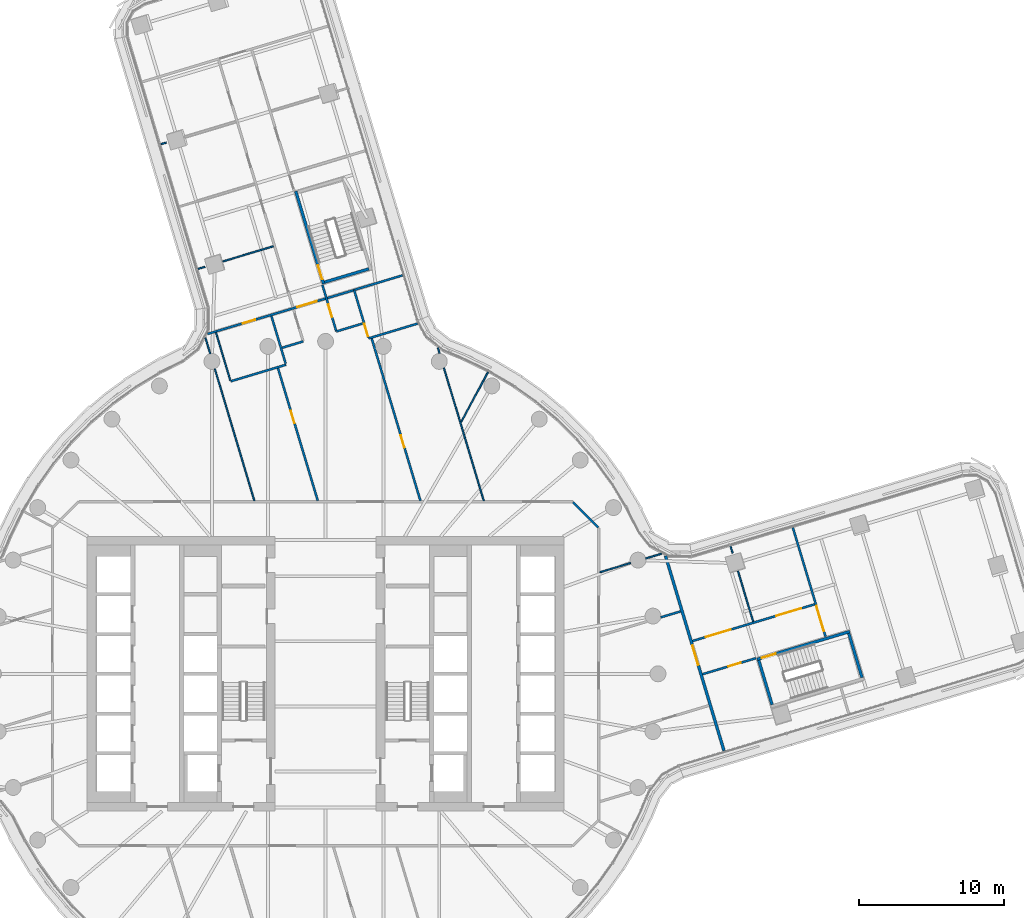
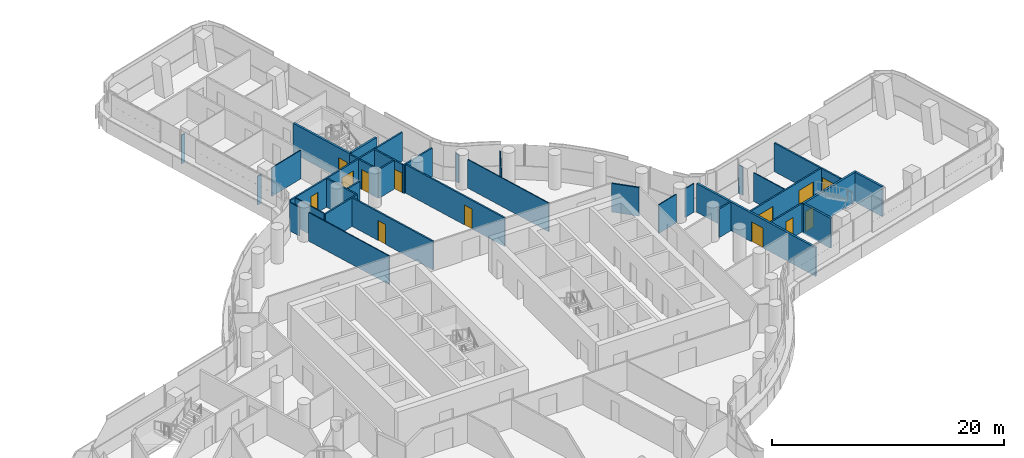
# One storey, part 21 of 32: 35 walls, 13 doors, 13 openings.
"""IFC4 building model written with IfcOpenShell, lengths in metres."""

from ifc_helpers import new_model, si_unit, direction, frame, frame_2d, origin, place, context, subcontext, project, spatial, polyline, rectangle, outline, extrude, material, layer, layer_set, type_object, element, fill, save


model = new_model("IFC4")

# Units and contexts
model_context = context("Model", 3, precision=1e-05, world=origin(), true_north=direction((0.0, 1.0)))
body_context = subcontext(model_context, "Body", "Model", "MODEL_VIEW")
ifc_project = project(units=[si_unit("LENGTHUNIT", "METRE"), si_unit("AREAUNIT", "SQUARE_METRE"), si_unit("VOLUMEUNIT", "CUBIC_METRE"), si_unit("PLANEANGLEUNIT", "RADIAN"), si_unit("MASSUNIT", "GRAM", prefix="KILO")], contexts=[model_context])

# Site, building, storey
site_placement = place(None, origin())
site = spatial("IfcSite", under=ifc_project, at=site_placement, CompositionType="ELEMENT")
building_placement = place(site_placement, origin())
building = spatial("IfcBuilding", under=site, at=building_placement, Name="Tamarind Cross Interchange Tower", CompositionType="ELEMENT")
storey_placement = place(building_placement, frame((0.0, 0.0, 94.75)))
storey = spatial("IfcBuildingStorey", under=building, at=storey_placement, Name="L22", CompositionType="ELEMENT", Elevation=94.75)

# Walls
ifc_material_1 = material(Name="Gypsum board partition on steel studs", Category="steel")
ifc_layer_1 = layer(ifc_material_1, 0.10009765625)
ifc_layer_set_1 = layer_set([ifc_layer_1], Name="Gypsum board partition on steel studs")
wall_type_1 = type_object("IfcWallType", Name="Partition 100 mm EI 90", PredefinedType="PARTITIONING", material=ifc_layer_set_1)
wall_1_placement = place(storey_placement, frame((-8.30859375, 23.242919921875, 0.0), z_axis=(0.0, 0.0, 1.0), x_axis=(0.287640433477, -0.957738472146, 0.0)))
element("IfcWall", 1, at=wall_1_placement, inside=storey, type_object=wall_type_1, Name="Partition L22-009", PredefinedType="PARTITIONING", context=body_context, shape_type="SweptSolid", body=[
    extrude(rectangle(XDim=1.1484375, YDim=0.10009765625, at=frame_2d((0.57421875, 0.0))), origin(), (0.0, 0.0, 1.0), 3.010009765625),
])
wall_2_placement = place(storey_placement, frame((-7.6669921875, 21.1064453125, 0.0), z_axis=(0.0, 0.0, 1.0), x_axis=(0.287634372124, -0.95774029255, 0.0)))
element("IfcWall", 2, at=wall_2_placement, inside=storey, type_object=wall_type_1, Name="Partition L22-010", PredefinedType="PARTITIONING", context=body_context, shape_type="SweptSolid", body=[
    extrude(rectangle(XDim=9.537841796875, YDim=0.10009765625, at=frame_2d((4.76904296875, 0.0))), origin(), (0.0, 0.0, 1.0), 3.010009765625),
])
wall_3_placement = place(storey_placement, frame((-7.58447265625, 23.611083984375, 0.0), z_axis=(0.0, 0.0, 1.0), x_axis=(0.287866572173, -0.957670526134, 0.0)))
element("IfcWall", 3, at=wall_3_placement, inside=storey, type_object=wall_type_1, Name="Partition L22-011", PredefinedType="PARTITIONING", context=body_context, shape_type="SweptSolid", body=[
    extrude(rectangle(XDim=3.454345703125, YDim=0.10009765625, at=frame_2d((1.72705078125, 0.0))), origin(), (0.0, 0.0, 1.0), 3.010009765625),
])
wall_4_placement = place(storey_placement, frame((7.768310546875, 22.5556640625, 0.0), z_axis=(0.0, 0.0, 1.0), x_axis=(0.287679851286, -0.957726632794, 0.0)))
element("IfcWall", 4, at=wall_4_placement, inside=storey, type_object=wall_type_1, Name="Partition L22-027", PredefinedType="PARTITIONING", context=body_context, shape_type="SweptSolid", body=[
    extrude(rectangle(XDim=0.40478515625, YDim=0.10009765625, at=frame_2d((0.202392578125, 0.0))), origin(), (0.0, 0.0, 1.0), 3.010009765625),
])
wall_5_placement = place(storey_placement, frame((8.185546875, 21.1669921875, 0.0), z_axis=(0.0, 0.0, 1.0), x_axis=(0.287669804992, -0.957729650421, 0.0)))
element("IfcWall", 5, at=wall_5_placement, inside=storey, type_object=wall_type_1, Name="Partition L22-028", PredefinedType="PARTITIONING", context=body_context, shape_type="SweptSolid", body=[
    extrude(rectangle(XDim=9.60107421875, YDim=0.10009765625, at=frame_2d((4.800537109375, 0.0))), origin(), (0.0, 0.0, 1.0), 3.010009765625),
])
wall_6_placement = place(storey_placement, frame((28.015380859375, 8.82568359375, 0.0), z_axis=(0.0, 0.0, 1.0), x_axis=(0.287884112335, -0.957665253554, 0.0)))
element("IfcWall", 6, at=wall_6_placement, inside=storey, type_object=wall_type_1, Name="Partition L22-030", PredefinedType="PARTITIONING", context=body_context, shape_type="SweptSolid", body=[
    extrude(rectangle(XDim=0.501220703125, YDim=0.10009765625, at=frame_2d((0.25048828125, 0.0))), origin(), (0.0, 0.0, 1.0), 3.010009765625),
])
wall_7_placement = place(storey_placement, frame((28.531982421875, 7.10546875, 0.0), z_axis=(0.0, 0.0, 1.0), x_axis=(0.28774049109, -0.957708415849, 0.0)))
element("IfcWall", 7, at=wall_7_placement, inside=storey, type_object=wall_type_1, Name="Partition L22-031", PredefinedType="PARTITIONING", context=body_context, shape_type="SweptSolid", body=[
    extrude(rectangle(XDim=3.65087890625, YDim=0.10009765625, at=frame_2d((1.825439453125, 0.0))), origin(), (0.0, 0.0, 1.0), 3.010009765625),
])
wall_8_placement = place(storey_placement, frame((-11.402587890625, 36.63916015625, 0.0), z_axis=(0.0, 0.0, 1.0), x_axis=(0.957743612651, 0.287623316903, 0.0)))
element("IfcWall", 8, at=wall_8_placement, inside=storey, type_object=wall_type_1, Name="Partition L22-051", PredefinedType="PARTITIONING", context=body_context, shape_type="SweptSolid", body=[
    extrude(rectangle(XDim=0.406494140625, YDim=0.10009765625, at=frame_2d((0.203125, 0.0))), origin(), (0.0, 0.0, 1.0), 3.010009765625),
])
wall_9_placement = place(storey_placement, frame((-8.82568359375, 28.015380859375, 0.0), z_axis=(0.0, 0.0, 1.0), x_axis=(0.957665253554, 0.287884112335, 0.0)))
element("IfcWall", 9, at=wall_9_placement, inside=storey, type_object=wall_type_1, Name="Partition L22-057", PredefinedType="PARTITIONING", context=body_context, shape_type="SweptSolid", body=[
    extrude(rectangle(XDim=0.501220703125, YDim=0.10009765625, at=frame_2d((0.25048828125, 0.0))), origin(), (0.0, 0.0, 1.0), 3.010009765625),
])
wall_10_placement = place(storey_placement, frame((-7.10546875, 28.531982421875, 0.0), z_axis=(0.0, 0.0, 1.0), x_axis=(0.957708415849, 0.28774049109, 0.0)))
element("IfcWall", 10, at=wall_10_placement, inside=storey, type_object=wall_type_1, Name="Partition L22-058", PredefinedType="PARTITIONING", context=body_context, shape_type="SweptSolid", body=[
    extrude(rectangle(XDim=3.65087890625, YDim=0.10009765625, at=frame_2d((1.825439453125, 0.0))), origin(), (0.0, 0.0, 1.0), 3.010009765625),
])
wall_11_placement = place(storey_placement, frame((18.9716796875, 7.025634765625, 0.0), z_axis=(0.0, 0.0, 1.0), x_axis=(0.95774183444, 0.287629238019, 0.0)))
element("IfcWall", 11, at=wall_11_placement, inside=storey, type_object=wall_type_1, Name="Partition L22-071", PredefinedType="PARTITIONING", context=body_context, shape_type="SweptSolid", body=[
    extrude(rectangle(XDim=2.22900390625, YDim=0.10009765625, at=frame_2d((1.114501953125, 0.0))), origin(), (0.0, 0.0, 1.0), 3.010009765625),
])
wall_12_placement = place(storey_placement, frame((22.14306640625, 7.978271484375, 0.0), z_axis=(0.0, 0.0, 1.0), x_axis=(0.957738472146, 0.287640433477, 0.0)))
element("IfcWall", 12, at=wall_12_placement, inside=storey, type_object=wall_type_1, Name="Partition L22-072", PredefinedType="PARTITIONING", context=body_context, shape_type="SweptSolid", body=[
    extrude(rectangle(XDim=1.1484375, YDim=0.10009765625, at=frame_2d((0.57421875, 0.0))), origin(), (0.0, 0.0, 1.0), 3.010009765625),
])
wall_13_placement = place(storey_placement, frame((9.382568359375, 17.42724609375, 0.0), z_axis=(0.0, 0.0, 1.0), x_axis=(0.47397663643, 0.880537420056, 0.0)))
element("IfcWall", 13, at=wall_13_placement, inside=storey, type_object=wall_type_1, Name="Partition L22-080", PredefinedType="PARTITIONING", context=body_context, shape_type="SweptSolid", body=[
    extrude(rectangle(XDim=3.900146484375, YDim=0.10009765625, at=frame_2d((1.9501953125, 0.0))), origin(), (0.0, 0.0, 1.0), 3.010009765625),
])

# Wall, opening, door
ifc_layer_2 = layer(ifc_material_1, 0.14990234375)
ifc_layer_set_2 = layer_set([ifc_layer_2], Name="Gypsum board partition on steel studs")
wall_type_2 = type_object("IfcWallType", Name="Partition 150 mm EI 120", PredefinedType="PARTITIONING", material=ifc_layer_set_2)
wall_14_placement = place(storey_placement, frame((-0.2197265625, 26.9033203125, 0.0), z_axis=(0.0, 0.0, 1.0), x_axis=(0.287616169205, -0.957745759172, 0.0)))
wall_14 = element("IfcWall", 14, at=wall_14_placement, inside=storey, type_object=wall_type_2, Name="Partition L22-015", PredefinedType="PARTITIONING", context=body_context, shape_type="SweptSolid", body=[
    extrude(rectangle(XDim=3.33935546875, YDim=0.14990234375, at=frame_2d((1.669677734375, 0.0))), origin(), (0.0, 0.0, 1.0), 3.010009765625),
])
opening_1_placement = place(wall_14_placement, frame((1.40869140625, 0.0, 0.0)))
opening_1 = element("IfcOpeningElement", 15, at=opening_1_placement, cuts=wall_14, Name="Opening D12", PredefinedType="OPENING", context=body_context, shape_type="SweptSolid", body=[
    extrude(rectangle(XDim=0.89990234375, YDim=2.10009765625, at=frame_2d((0.449951171875, 1.050048828125))), frame((0.0, 0.0849609375, 0.0), z_axis=(0.0, -1.0, 0.0), x_axis=(1.0, 0.0, 0.0)), (0.0, 0.0, 1.0), 0.169921875),
])
ifc_material_2 = material(Name="Fire-resisting door set")
door_type_1 = type_object("IfcDoorType", Name="Interior door 900 x 2100 FD60S", OperationType="SINGLE_SWING_LEFT", PredefinedType="DOOR", material=ifc_material_2)
door_1_placement = place(opening_1_placement, origin())
door_1 = element("IfcDoor", 16, at=door_1_placement, inside=storey, type_object=door_type_1, Name="Door D12", OperationType="SINGLE_SWING_LEFT", OverallHeight=2.10009765625, OverallWidth=0.89990234375, PredefinedType="DOOR", context=body_context, shape_type="SweptSolid", body=[
    extrude(rectangle(XDim=0.89990234375, YDim=2.10009765625, at=frame_2d((0.449951171875, 1.050048828125))), frame((0.0, 0.02490234375, 0.0), z_axis=(0.0, -1.0, 0.0), x_axis=(1.0, 0.0, 0.0)), (0.0, 0.0, 1.0), 0.050048828125),
])
fill(opening_1, door_1)

# Wall
wall_15_placement = place(storey_placement, frame((-3.751953125, 24.75732421875, 0.0), z_axis=(0.0, 0.0, 1.0), x_axis=(0.287770428937, -0.957699420606, 0.0)))
element("IfcWall", 17, at=wall_15_placement, inside=storey, type_object=wall_type_2, Name="Partition L22-016", PredefinedType="PARTITIONING", context=body_context, shape_type="SweptSolid", body=[
    extrude(rectangle(XDim=3.4453125, YDim=0.14990234375, at=frame_2d((1.72265625, 0.0))), origin(), (0.0, 0.0, 1.0), 3.010009765625),
])

# Wall, opening, door
wall_16_placement = place(storey_placement, frame((-3.29248046875, 21.14111328125, 0.0), z_axis=(0.0, 0.0, 1.0), x_axis=(0.287642802336, -0.957737760697, 0.0)))
wall_16 = element("IfcWall", 18, at=wall_16_placement, inside=storey, type_object=wall_type_2, Name="Partition L22-017", PredefinedType="PARTITIONING", context=body_context, shape_type="SweptSolid", body=[
    extrude(rectangle(XDim=9.56884765625, YDim=0.14990234375, at=frame_2d((4.784423828125, 0.0))), origin(), (0.0, 0.0, 1.0), 3.010009765625),
])
opening_2_placement = place(wall_16_placement, frame((3.074951171875, 0.0, 0.0)))
opening_2 = element("IfcOpeningElement", 19, at=opening_2_placement, cuts=wall_16, Name="Opening D13", PredefinedType="OPENING", context=body_context, shape_type="SweptSolid", body=[
    extrude(rectangle(XDim=0.89990234375, YDim=2.10009765625, at=frame_2d((0.449951171875, 1.050048828125))), frame((0.0, 0.0849609375, 0.0), z_axis=(0.0, -1.0, 0.0), x_axis=(1.0, 0.0, 0.0)), (0.0, 0.0, 1.0), 0.169921875),
])
door_2_placement = place(opening_2_placement, frame((0.89990234375, 0.0, 0.0), z_axis=(0.0, 0.0, 1.0), x_axis=(-1.0, 0.0, 0.0)))
door_2 = element("IfcDoor", 20, at=door_2_placement, inside=storey, type_object=door_type_1, Name="Door D13", OperationType="SINGLE_SWING_LEFT", OverallHeight=2.10009765625, OverallWidth=0.89990234375, PredefinedType="DOOR", context=body_context, shape_type="SweptSolid", body=[
    extrude(rectangle(XDim=0.89990234375, YDim=2.10009765625, at=frame_2d((0.449951171875, 1.050048828125))), frame((0.0, 0.02490234375, 0.0), z_axis=(0.0, -1.0, 0.0), x_axis=(1.0, 0.0, 0.0)), (0.0, 0.0, 1.0), 0.050048828125),
])
fill(opening_2, door_2)

wall_17_placement = place(storey_placement, frame((1.977783203125, 26.540771484375, 0.0), z_axis=(0.0, 0.0, 1.0), x_axis=(0.287472876761, -0.957788778973, 0.0)))
wall_17 = element("IfcWall", 21, at=wall_17_placement, inside=storey, type_object=wall_type_2, Name="Partition L22-022", PredefinedType="PARTITIONING", context=body_context, shape_type="SweptSolid", body=[
    extrude(rectangle(XDim=3.40478515625, YDim=0.14990234375, at=frame_2d((1.702392578125, 0.0))), origin(), (0.0, 0.0, 1.0), 3.010009765625),
])
opening_3_placement = place(wall_17_placement, frame((2.4296875, 0.0, 0.0)))
opening_3 = element("IfcOpeningElement", 22, at=opening_3_placement, cuts=wall_17, Name="Opening D16", PredefinedType="OPENING", context=body_context, shape_type="SweptSolid", body=[
    extrude(rectangle(XDim=0.89990234375, YDim=2.10009765625, at=frame_2d((0.449951171875, 1.050048828125))), frame((0.0, 0.0849609375, 0.0), z_axis=(0.0, -1.0, 0.0), x_axis=(1.0, 0.0, 0.0)), (0.0, 0.0, 1.0), 0.169921875),
])
door_3_placement = place(opening_3_placement, origin())
door_3 = element("IfcDoor", 23, at=door_3_placement, inside=storey, type_object=door_type_1, Name="Door D16", OperationType="SINGLE_SWING_LEFT", OverallHeight=2.10009765625, OverallWidth=0.89990234375, PredefinedType="DOOR", context=body_context, shape_type="SweptSolid", body=[
    extrude(rectangle(XDim=0.89990234375, YDim=2.10009765625, at=frame_2d((0.449951171875, 1.050048828125))), frame((0.0, 0.02490234375, 0.0), z_axis=(0.0, -1.0, 0.0), x_axis=(1.0, 0.0, 0.0)), (0.0, 0.0, 1.0), 0.050048828125),
])
fill(opening_3, door_3)

wall_18_placement = place(storey_placement, frame((3.191650390625, 23.194091796875, 0.0), z_axis=(0.0, 0.0, 1.0), x_axis=(0.287594570401, -0.957752245143, 0.0)))
wall_18 = element("IfcWall", 24, at=wall_18_placement, inside=storey, type_object=wall_type_2, Name="Partition L22-024", PredefinedType="PARTITIONING", context=body_context, shape_type="SweptSolid", body=[
    extrude(rectangle(XDim=11.71240234375, YDim=0.14990234375, at=frame_2d((5.856201171875, 0.0))), origin(), (0.0, 0.0, 1.0), 3.010009765625),
])
opening_4_placement = place(wall_18_placement, frame((6.97509765625, 0.0, 0.0)))
opening_4 = element("IfcOpeningElement", 25, at=opening_4_placement, cuts=wall_18, Name="Opening D19", PredefinedType="OPENING", context=body_context, shape_type="SweptSolid", body=[
    extrude(rectangle(XDim=0.89990234375, YDim=2.10009765625, at=frame_2d((0.449951171875, 1.050048828125))), frame((0.0, 0.0849609375, 0.0), z_axis=(0.0, -1.0, 0.0), x_axis=(1.0, 0.0, 0.0)), (0.0, 0.0, 1.0), 0.169921875),
])
door_4_placement = place(opening_4_placement, origin())
door_4 = element("IfcDoor", 26, at=door_4_placement, inside=storey, type_object=door_type_1, Name="Door D19", OperationType="SINGLE_SWING_LEFT", OverallHeight=2.10009765625, OverallWidth=0.89990234375, PredefinedType="DOOR", context=body_context, shape_type="SweptSolid", body=[
    extrude(rectangle(XDim=0.89990234375, YDim=2.10009765625, at=frame_2d((0.449951171875, 1.050048828125))), frame((0.0, 0.02490234375, 0.0), z_axis=(0.0, -1.0, 0.0), x_axis=(1.0, 0.0, 0.0)), (0.0, 0.0, 1.0), 0.050048828125),
])
fill(opening_4, door_4)

wall_19_placement = place(storey_placement, frame((32.3271484375, 10.1142578125, 0.0), z_axis=(0.0, 0.0, 1.0), x_axis=(0.287649307063, -0.957735807071, 0.0)))
wall_19 = element("IfcWall", 27, at=wall_19_placement, inside=storey, type_object=wall_type_2, Name="Partition L22-032", PredefinedType="PARTITIONING", context=body_context, shape_type="SweptSolid", body=[
    extrude(rectangle(XDim=7.87646484375, YDim=0.14990234375, at=frame_2d((3.938232421875, 0.0))), origin(), (0.0, 0.0, 1.0), 3.010009765625),
])
opening_5_placement = place(wall_19_placement, frame((5.666259765625, 0.0, 0.0)))
opening_5 = element("IfcOpeningElement", 28, at=opening_5_placement, cuts=wall_19, Name="Opening D21", PredefinedType="OPENING", context=body_context, shape_type="SweptSolid", body=[
    extrude(rectangle(XDim=1.800048828125, YDim=2.10009765625, at=frame_2d((0.89990234375, 1.050048828125))), frame((0.0, 0.0849609375, 0.0), z_axis=(0.0, -1.0, 0.0), x_axis=(1.0, 0.0, 0.0)), (0.0, 0.0, 1.0), 0.169921875),
])
door_type_2 = type_object("IfcDoorType", Name="Interior door 1800 x 2100 FD60S", OperationType="DOUBLE_DOOR_SINGLE_SWING", PredefinedType="DOOR", material=ifc_material_2)
door_5_placement = place(opening_5_placement, origin())
door_5 = element("IfcDoor", 29, at=door_5_placement, inside=storey, type_object=door_type_2, Name="Door D21", OperationType="DOUBLE_DOOR_SINGLE_SWING", OverallHeight=2.10009765625, OverallWidth=1.800048828125, PredefinedType="DOOR", context=body_context, shape_type="SweptSolid", body=[
    extrude(rectangle(XDim=1.800048828125, YDim=2.10009765625, at=frame_2d((0.89990234375, 1.050048828125))), frame((0.0, 0.02490234375, 0.0), z_axis=(0.0, -1.0, 0.0), x_axis=(1.0, 0.0, 0.0)), (0.0, 0.0, 1.0), 0.050048828125),
])
fill(opening_5, door_5)

# Wall
wall_20_placement = place(storey_placement, frame((17.12841796875, 11.87158203125, 0.0), z_axis=(0.0, 0.0, 1.0), x_axis=(0.707106781187, -0.707106781187, 0.0)))
element("IfcWall", 30, at=wall_20_placement, inside=storey, type_object=wall_type_2, Name="Partition L22-035", PredefinedType="PARTITIONING", context=body_context, shape_type="SweptSolid", body=[
    extrude(rectangle(XDim=2.465087890625, YDim=0.14990234375, at=frame_2d((1.232421875, 0.0))), origin(), (0.0, 0.0, 1.0), 3.010009765625),
])

# Wall, openings, doors
wall_21_placement = place(storey_placement, frame((-8.162841796875, 23.516357421875, 0.0), z_axis=(0.0, 0.0, 1.0), x_axis=(0.958017839909, 0.286708594946, 0.0)))
wall_21 = element("IfcWall", 31, at=wall_21_placement, inside=storey, type_object=wall_type_2, Name="Partition L22-059", PredefinedType="PARTITIONING", context=body_context, shape_type="SweptSolid", body=[
    extrude(rectangle(XDim=10.58203125, YDim=0.14990234375, at=frame_2d((5.291015625, 0.0))), origin(), (0.0, 0.0, 1.0), 3.010009765625),
])
opening_6_placement = place(wall_21_placement, frame((6.48193359375, 0.0, 0.0)))
opening_6 = element("IfcOpeningElement", 32, at=opening_6_placement, cuts=wall_21, Name="Opening D33", PredefinedType="OPENING", context=body_context, shape_type="SweptSolid", body=[
    extrude(rectangle(XDim=1.39990234375, YDim=2.10009765625, at=frame_2d((0.699951171875, 1.050048828125))), frame((0.0, 0.0849609375, 0.0), z_axis=(0.0, -1.0, 0.0), x_axis=(1.0, 0.0, 0.0)), (0.0, 0.0, 1.0), 0.169921875),
])
opening_7_placement = place(wall_21_placement, frame((2.53125, 0.0, 0.0)))
opening_7 = element("IfcOpeningElement", 33, at=opening_7_placement, cuts=wall_21, Name="Opening D34", PredefinedType="OPENING", context=body_context, shape_type="SweptSolid", body=[
    extrude(rectangle(XDim=0.89990234375, YDim=2.10009765625, at=frame_2d((0.449951171875, 1.050048828125))), frame((0.0, 0.0849609375, 0.0), z_axis=(0.0, -1.0, 0.0), x_axis=(1.0, 0.0, 0.0)), (0.0, 0.0, 1.0), 0.169921875),
])
door_type_3 = type_object("IfcDoorType", Name="Interior door 1400 x 2100 FD60S", OperationType="DOUBLE_DOOR_SINGLE_SWING", PredefinedType="DOOR", material=ifc_material_2)
door_6_placement = place(opening_6_placement, frame((1.39990234375, 0.0, 0.0), z_axis=(0.0, 0.0, 1.0), x_axis=(-1.0, 0.0, 0.0)))
door_6 = element("IfcDoor", 34, at=door_6_placement, inside=storey, type_object=door_type_3, Name="Door D33", OperationType="DOUBLE_DOOR_SINGLE_SWING", OverallHeight=2.10009765625, OverallWidth=1.39990234375, PredefinedType="DOOR", context=body_context, shape_type="SweptSolid", body=[
    extrude(rectangle(XDim=1.39990234375, YDim=2.10009765625, at=frame_2d((0.699951171875, 1.050048828125))), frame((0.0, 0.02490234375, 0.0), z_axis=(0.0, -1.0, 0.0), x_axis=(1.0, 0.0, 0.0)), (0.0, 0.0, 1.0), 0.050048828125),
])
fill(opening_6, door_6)
door_7_placement = place(opening_7_placement, frame((0.89990234375, 0.0, 0.0), z_axis=(0.0, 0.0, 1.0), x_axis=(-1.0, 0.0, 0.0)))
door_7 = element("IfcDoor", 35, at=door_7_placement, inside=storey, type_object=door_type_1, Name="Door D34", OperationType="SINGLE_SWING_LEFT", OverallHeight=2.10009765625, OverallWidth=0.89990234375, PredefinedType="DOOR", context=body_context, shape_type="SweptSolid", body=[
    extrude(rectangle(XDim=0.89990234375, YDim=2.10009765625, at=frame_2d((0.449951171875, 1.050048828125))), frame((0.0, 0.02490234375, 0.0), z_axis=(0.0, -1.0, 0.0), x_axis=(1.0, 0.0, 0.0)), (0.0, 0.0, 1.0), 0.050048828125),
])
fill(opening_7, door_7)

# Walls
wall_22_placement = place(storey_placement, frame((-6.570068359375, 20.236083984375, 0.0), z_axis=(0.0, 0.0, 1.0), x_axis=(0.9578195651, 0.287370285017, 0.0)))
element("IfcWall", 36, at=wall_22_placement, inside=storey, type_object=wall_type_2, Name="Partition L22-060", PredefinedType="PARTITIONING", context=body_context, shape_type="SweptSolid", body=[
    extrude(rectangle(XDim=3.999755859375, YDim=0.14990234375, at=frame_2d((2.0, 0.0))), origin(), (0.0, 0.0, 1.0), 3.010009765625),
])
wall_23_placement = place(storey_placement, frame((-3.01220703125, 22.556640625, 0.0), z_axis=(0.0, 0.0, 1.0), x_axis=(0.957574748886, 0.288185010533, 0.0)))
element("IfcWall", 37, at=wall_23_placement, inside=storey, type_object=wall_type_2, Name="Partition L22-062", PredefinedType="PARTITIONING", context=body_context, shape_type="SweptSolid", body=[
    extrude(rectangle(XDim=1.52490234375, YDim=0.14990234375, at=frame_2d((0.762451171875, 0.0))), origin(), (0.0, 0.0, 1.0), 3.010009765625),
])
wall_24_placement = place(storey_placement, frame((0.74658203125, 23.687744140625, 0.0), z_axis=(0.0, 0.0, 1.0), x_axis=(0.957581258756, 0.288163378795, 0.0)))
element("IfcWall", 38, at=wall_24_placement, inside=storey, type_object=wall_type_2, Name="Partition L22-063", PredefinedType="PARTITIONING", context=body_context, shape_type="SweptSolid", body=[
    extrude(rectangle(XDim=1.92236328125, YDim=0.14990234375, at=frame_2d((0.961181640625, 0.0))), origin(), (0.0, 0.0, 1.0), 3.010009765625),
])
wall_25_placement = place(storey_placement, frame((1.971923828125, 26.56005859375, 0.0), z_axis=(0.0, 0.0, 1.0), x_axis=(0.957720591323, 0.287699963426, 0.0)))
element("IfcWall", 39, at=wall_25_placement, inside=storey, type_object=wall_type_2, Name="Partition L22-065", PredefinedType="PARTITIONING", context=body_context, shape_type="SweptSolid", body=[
    extrude(rectangle(XDim=3.498779296875, YDim=0.14990234375, at=frame_2d((1.74951171875, 0.0))), origin(), (0.0, 0.0, 1.0), 3.010009765625),
])
wall_26_placement = place(storey_placement, frame((2.97802734375, 23.2080078125, 0.0), z_axis=(0.0, 0.0, 1.0), x_axis=(0.957277630695, 0.289170430319, 0.0)))
element("IfcWall", 40, at=wall_26_placement, inside=storey, type_object=wall_type_2, Name="Partition L22-066", PredefinedType="PARTITIONING", context=body_context, shape_type="SweptSolid", body=[
    extrude(rectangle(XDim=3.538330078125, YDim=0.14990234375, at=frame_2d((1.76904296875, 0.0))), origin(), (0.0, 0.0, 1.0), 3.010009765625),
])
wall_27_placement = place(storey_placement, frame((23.18701171875, 3.906494140625, 0.0), z_axis=(0.0, 0.0, 1.0), x_axis=(0.957756211779, 0.287581360313, 0.0)))
element("IfcWall", 41, at=wall_27_placement, inside=storey, type_object=wall_type_2, Name="Partition L22-070", PredefinedType="PARTITIONING", context=body_context, shape_type="SweptSolid", body=[
    extrude(rectangle(XDim=1.43896484375, YDim=0.14990234375, at=frame_2d((0.719482421875, 0.0))), origin(), (0.0, 0.0, 1.0), 3.010009765625),
])

# Wall, openings, doors
wall_28_placement = place(storey_placement, frame((25.389892578125, 2.270751953125, 0.0), z_axis=(0.0, 0.0, 1.0), x_axis=(0.957737157729, 0.287644809973, 0.0)))
wall_28 = element("IfcWall", 42, at=wall_28_placement, inside=storey, type_object=wall_type_2, Name="Partition L22-075", PredefinedType="PARTITIONING", context=body_context, shape_type="SweptSolid", body=[
    extrude(rectangle(XDim=8.825439453125, YDim=0.14990234375, at=frame_2d((4.41259765625, 0.0))), origin(), (0.0, 0.0, 1.0), 3.010009765625),
])
opening_8_placement = place(wall_28_placement, frame((6.05029296875, 0.0, 0.0)))
opening_8 = element("IfcOpeningElement", 43, at=opening_8_placement, cuts=wall_28, Name="Opening D38", PredefinedType="OPENING", context=body_context, shape_type="SweptSolid", body=[
    extrude(rectangle(XDim=1.800048828125, YDim=2.10009765625, at=frame_2d((0.89990234375, 1.050048828125))), frame((0.0, 0.0849609375, 0.0), z_axis=(0.0, -1.0, 0.0), x_axis=(1.0, 0.0, 0.0)), (0.0, 0.0, 1.0), 0.169921875),
])
opening_9_placement = place(wall_28_placement, frame((0.949951171875, 0.0, 0.0)))
opening_9 = element("IfcOpeningElement", 44, at=opening_9_placement, cuts=wall_28, Name="Opening D39", PredefinedType="OPENING", context=body_context, shape_type="SweptSolid", body=[
    extrude(rectangle(XDim=1.800048828125, YDim=2.10009765625, at=frame_2d((0.89990234375, 1.050048828125))), frame((0.0, 0.0849609375, 0.0), z_axis=(0.0, -1.0, 0.0), x_axis=(1.0, 0.0, 0.0)), (0.0, 0.0, 1.0), 0.169921875),
])
door_8_placement = place(opening_8_placement, origin())
door_8 = element("IfcDoor", 45, at=door_8_placement, inside=storey, type_object=door_type_2, Name="Door D38", OperationType="DOUBLE_DOOR_SINGLE_SWING", OverallHeight=2.10009765625, OverallWidth=1.800048828125, PredefinedType="DOOR", context=body_context, shape_type="SweptSolid", body=[
    extrude(rectangle(XDim=1.800048828125, YDim=2.10009765625, at=frame_2d((0.89990234375, 1.050048828125))), frame((0.0, 0.02490234375, 0.0), z_axis=(0.0, -1.0, 0.0), x_axis=(1.0, 0.0, 0.0)), (0.0, 0.0, 1.0), 0.050048828125),
])
fill(opening_8, door_8)
door_9_placement = place(opening_9_placement, origin())
door_9 = element("IfcDoor", 46, at=door_9_placement, inside=storey, type_object=door_type_2, Name="Door D39", OperationType="DOUBLE_DOOR_SINGLE_SWING", OverallHeight=2.10009765625, OverallWidth=1.800048828125, PredefinedType="DOOR", context=body_context, shape_type="SweptSolid", body=[
    extrude(rectangle(XDim=1.800048828125, YDim=2.10009765625, at=frame_2d((0.89990234375, 1.050048828125))), frame((0.0, 0.02490234375, 0.0), z_axis=(0.0, -1.0, 0.0), x_axis=(1.0, 0.0, 0.0)), (0.0, 0.0, 1.0), 0.050048828125),
])
fill(opening_9, door_9)

# Wall, opening, door
wall_29_placement = place(storey_placement, frame((26.080810546875, -0.027099609375, 0.0), z_axis=(0.0, 0.0, 1.0), x_axis=(0.957756613036, 0.287580023967, 0.0)))
wall_29 = element("IfcWall", 47, at=wall_29_placement, inside=storey, type_object=wall_type_2, Name="Partition L22-076", PredefinedType="PARTITIONING", context=body_context, shape_type="SweptSolid", body=[
    extrude(rectangle(XDim=3.859375, YDim=0.14990234375, at=frame_2d((1.9296875, 0.0))), origin(), (0.0, 0.0, 1.0), 3.010009765625),
])
opening_10_placement = place(wall_29_placement, frame((1.85009765625, 0.0, 0.0)))
opening_10 = element("IfcOpeningElement", 48, at=opening_10_placement, cuts=wall_29, Name="Opening D40", PredefinedType="OPENING", context=body_context, shape_type="SweptSolid", body=[
    extrude(rectangle(XDim=0.89990234375, YDim=2.10009765625, at=frame_2d((0.449951171875, 1.050048828125))), frame((0.0, 0.0849609375, 0.0), z_axis=(0.0, -1.0, 0.0), x_axis=(1.0, 0.0, 0.0)), (0.0, 0.0, 1.0), 0.169921875),
])
door_10_placement = place(opening_10_placement, frame((0.89990234375, 0.0, 0.0), z_axis=(0.0, 0.0, 1.0), x_axis=(-1.0, 0.0, 0.0)))
door_10 = element("IfcDoor", 49, at=door_10_placement, inside=storey, type_object=door_type_1, Name="Door D40", OperationType="SINGLE_SWING_RIGHT", OverallHeight=2.10009765625, OverallWidth=0.89990234375, PredefinedType="DOOR", context=body_context, shape_type="SweptSolid", body=[
    extrude(rectangle(XDim=0.89990234375, YDim=2.10009765625, at=frame_2d((0.449951171875, 1.050048828125))), frame((0.0, 0.02490234375, 0.0), z_axis=(0.0, -1.0, 0.0), x_axis=(1.0, 0.0, 0.0)), (0.0, 0.0, 1.0), 0.050048828125),
])
fill(opening_10, door_10)

ifc_layer_3 = layer(ifc_material_1, 0.199951171875)
ifc_layer_set_3 = layer_set([ifc_layer_3], Name="Gypsum board partition on steel studs")
wall_type_3 = type_object("IfcWallType", Name="Partition 200 mm EI 180", PredefinedType="PARTITIONING", material=ifc_layer_set_3)
wall_30_placement = place(storey_placement, frame((23.516357421875, 8.162841796875, 0.0), z_axis=(0.0, 0.0, 1.0), x_axis=(0.287459233433, -0.957792873806, 0.0)))
wall_30 = element("IfcWall", 50, at=wall_30_placement, inside=storey, type_object=wall_type_3, Name="Partition L22-029", PredefinedType="PARTITIONING", context=body_context, shape_type="SweptSolid", body=[
    extrude(rectangle(XDim=14.08056640625, YDim=0.199951171875, at=frame_2d((7.040283203125, 0.0))), origin(), (0.0, 0.0, 1.0), 3.010009765625),
])
opening_11_placement = place(wall_30_placement, frame((6.482177734375, 0.0, 0.0)))
opening_11 = element("IfcOpeningElement", 51, at=opening_11_placement, cuts=wall_30, Name="Opening D20", PredefinedType="OPENING", context=body_context, shape_type="SweptSolid", body=[
    extrude(rectangle(XDim=1.39990234375, YDim=2.10009765625, at=frame_2d((0.699951171875, 1.050048828125))), frame((0.0, 0.10986328125, 0.0), z_axis=(0.0, -1.0, 0.0), x_axis=(1.0, 0.0, 0.0)), (0.0, 0.0, 1.0), 0.219970703125),
])
door_type_4 = type_object("IfcDoorType", Name="Interior door 1400 x 2100 FD120S", OperationType="DOUBLE_DOOR_SINGLE_SWING", PredefinedType="DOOR", material=ifc_material_2)
door_11_placement = place(opening_11_placement, frame((1.39990234375, 0.0, 0.0), z_axis=(0.0, 0.0, 1.0), x_axis=(-1.0, 0.0, 0.0)))
door_11 = element("IfcDoor", 52, at=door_11_placement, inside=storey, type_object=door_type_4, Name="Door D20", OperationType="DOUBLE_DOOR_SINGLE_SWING", OverallHeight=2.10009765625, OverallWidth=1.39990234375, PredefinedType="DOOR", context=body_context, shape_type="SweptSolid", body=[
    extrude(rectangle(XDim=1.39990234375, YDim=2.10009765625, at=frame_2d((0.699951171875, 1.050048828125))), frame((0.0, 0.02490234375, 0.0), z_axis=(0.0, -1.0, 0.0), x_axis=(1.0, 0.0, 0.0)), (0.0, 0.0, 1.0), 0.050048828125),
])
fill(opening_11, door_11)

ifc_material_3 = material(Name="Concrete C40", Category="concrete")
ifc_layer_4 = layer(ifc_material_3, 0.199951171875)
ifc_layer_set_4 = layer_set([ifc_layer_4], Name="Concrete C40")
wall_type_4 = type_object("IfcWallType", Name="Stair shaft wall 200 mm Concrete C40", PredefinedType="SHEAR", material=ifc_layer_set_4)
wall_31_placement = place(storey_placement, frame((29.84423828125, 0.99853515625, -0.139892578125), z_axis=(0.0, 0.0, 1.0), x_axis=(0.957734971426, 0.287652089352, 0.0)))
wall_31 = element("IfcWall", 53, at=wall_31_placement, inside=storey, type_object=wall_type_4, Name="Core wall CWL-L22-ST3-H", PredefinedType="SHEAR", context=body_context, shape_type="SweptSolid", body=[
    extrude(rectangle(XDim=6.699951171875, YDim=0.199951171875, at=frame_2d((3.35009765625, 0.0))), origin(), (0.0, 0.0, 1.0), 3.14990234375),
])
opening_12_placement = place(wall_31_placement, frame((0.35009765625, 0.0, 0.0)))
opening_12 = element("IfcOpeningElement", 54, at=opening_12_placement, cuts=wall_31, Name="Opening ST3L22", PredefinedType="OPENING", context=body_context, shape_type="SweptSolid", body=[
    extrude(rectangle(XDim=1.0, YDim=2.10009765625, at=frame_2d((0.5, 1.050048828125))), frame((0.0, 0.10986328125, 0.0), z_axis=(0.0, -1.0, 0.0), x_axis=(1.0, 0.0, 0.0)), (0.0, 0.0, 1.0), 0.219970703125),
])
ifc_material_4 = material(Name="Steel, fire-resisting", Category="steel")
door_type_5 = type_object("IfcDoorType", Name="Core fire door 1000 x 2100 FD90", OperationType="SINGLE_SWING_LEFT", PredefinedType="DOOR", material=ifc_material_4)
door_12_placement = place(opening_12_placement, origin())
door_12 = element("IfcDoor", 55, at=door_12_placement, inside=storey, type_object=door_type_5, Name="L22 stair door ST3", OperationType="SINGLE_SWING_LEFT", OverallHeight=2.10009765625, OverallWidth=1.0, PredefinedType="DOOR", context=body_context, shape_type="SweptSolid", body=[
    extrude(rectangle(XDim=1.0, YDim=2.10009765625, at=frame_2d((0.5, 1.050048828125))), frame((0.0, 0.02490234375, 0.0), z_axis=(0.0, -1.0, 0.0), x_axis=(1.0, 0.0, 0.0)), (0.0, 0.0, 1.0), 0.050048828125),
])
fill(opening_12, door_12)

# Walls
wall_32_placement = place(storey_placement, frame((30.889404296875, -2.13330078125, -0.139892578125), z_axis=(0.0, 0.0, 1.0), x_axis=(-0.28770483774, 0.957719127062, 0.0)))
element("IfcWall", 56, at=wall_32_placement, inside=storey, type_object=wall_type_4, Name="Core wall CWL-L22-ST3-CE", PredefinedType="SHEAR", context=body_context, shape_type="SweptSolid", body=[
    extrude(rectangle(XDim=3.199951171875, YDim=0.199951171875, at=frame_2d((1.60009765625, 0.0))), origin(), (0.0, 0.0, 1.0), 3.14990234375),
])
wall_33_placement = place(storey_placement, frame((0.0, 0.0, -0.139892578125)))
element("IfcWall", 57, at=wall_33_placement, inside=storey, type_object=wall_type_4, Name="Core wall CWL-L22-ST3-CF", PredefinedType="SHEAR", context=body_context, shape_type="SweptSolid", body=[
    extrude(outline(polyline([(37.018798828125, -0.292236328125), (37.21044921875, -0.23486328125), (36.289794921875, 2.830078125), (36.098388671875, 2.7724609375), (37.018798828125, -0.292236328125)])), origin(), (0.0, 0.0, 1.0), 3.14990234375),
])

# Wall, opening, door
wall_34_placement = place(storey_placement, frame((-0.135498046875, 26.97119140625, -0.139892578125), z_axis=(0.0, 0.0, 1.0), x_axis=(-0.287652089352, 0.957734971426, 0.0)))
wall_34 = element("IfcWall", 58, at=wall_34_placement, inside=storey, type_object=wall_type_4, Name="Core wall CWL-L22-ST4-H", PredefinedType="SHEAR", context=body_context, shape_type="SweptSolid", body=[
    extrude(rectangle(XDim=6.699951171875, YDim=0.199951171875, at=frame_2d((3.35009765625, 0.0))), origin(), (0.0, 0.0, 1.0), 3.14990234375),
])
opening_13_placement = place(wall_34_placement, frame((0.35009765625, 0.0, 0.0)))
opening_13 = element("IfcOpeningElement", 59, at=opening_13_placement, cuts=wall_34, Name="Opening ST4L22", PredefinedType="OPENING", context=body_context, shape_type="SweptSolid", body=[
    extrude(rectangle(XDim=1.0, YDim=2.10009765625, at=frame_2d((0.5, 1.050048828125))), frame((0.0, 0.10986328125, 0.0), z_axis=(0.0, -1.0, 0.0), x_axis=(1.0, 0.0, 0.0)), (0.0, 0.0, 1.0), 0.219970703125),
])
door_13_placement = place(opening_13_placement, origin())
door_13 = element("IfcDoor", 60, at=door_13_placement, inside=storey, type_object=door_type_5, Name="L22 stair door ST4", OperationType="SINGLE_SWING_LEFT", OverallHeight=2.10009765625, OverallWidth=1.0, PredefinedType="DOOR", context=body_context, shape_type="SweptSolid", body=[
    extrude(rectangle(XDim=1.0, YDim=2.10009765625, at=frame_2d((0.5, 1.050048828125))), frame((0.0, 0.02490234375, 0.0), z_axis=(0.0, -1.0, 0.0), x_axis=(1.0, 0.0, 0.0)), (0.0, 0.0, 1.0), 0.050048828125),
])
fill(opening_13, door_13)

# Wall
wall_35_placement = place(storey_placement, frame((2.99609375, 28.01611328125, -0.139892578125), z_axis=(0.0, 0.0, 1.0), x_axis=(-0.95774014706, -0.287634856562, 0.0)))
element("IfcWall", 61, at=wall_35_placement, inside=storey, type_object=wall_type_4, Name="Core wall CWL-L22-ST4-CE", PredefinedType="SHEAR", context=body_context, shape_type="SweptSolid", body=[
    extrude(rectangle(XDim=3.199951171875, YDim=0.199951171875, at=frame_2d((1.60009765625, 0.0))), origin(), (0.0, 0.0, 1.0), 3.14990234375),
])

save(model, "model.ifc")
